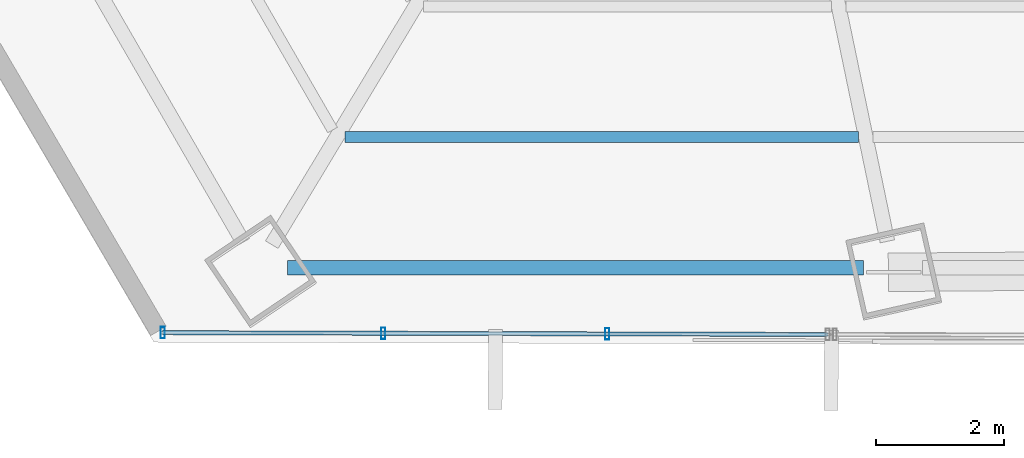
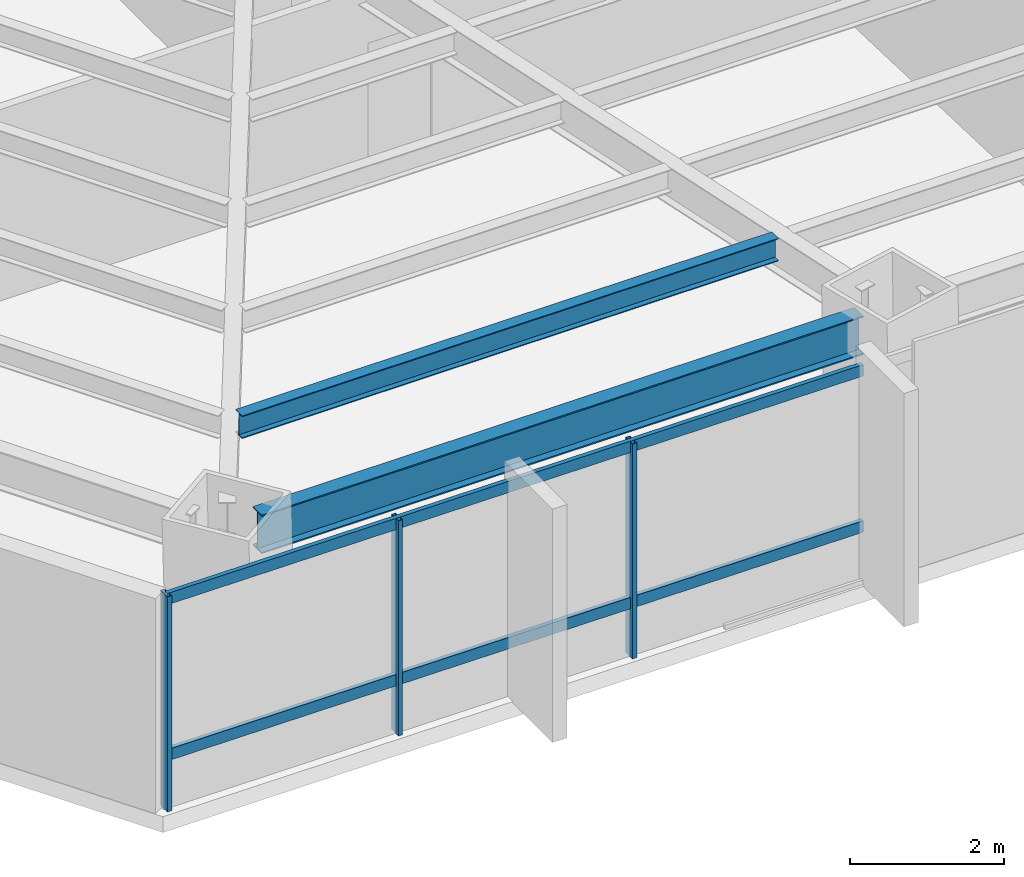
# One storey, part 3 of 33: 5 members, 2 beams, 1 element without a shape of its own.
"""IFC4 building model written with IfcOpenShell, lengths in metres."""

import ifcopenshell
import ifcopenshell.guid

model = None  # the IFC model being written
_history = None  # IfcOwnerHistory: only IFC2X3 demands one
_inside = {}  # id of a spatial element -> (the spatial element, [elements in it])
_under = {}  # id of a project, library or spatial element -> (it, [spatial elements below it])
_declared = {}  # id of a project -> (the project, [libraries it declares])
_typed = {}  # id of a type object -> (the type object, [elements of that type])
_made_of = {}  # id of a material, layer set ... -> (it, [elements and type objects made of it])


def new_model(schema):
    """Start an empty IFC model of exactly this schema.

    Asked for "IFC4X3", IfcOpenShell would pick the latest addendum, in which some entities
    have other attributes; the version numbers below select the first issue.
    IFC2X3 requires an IfcOwnerHistory on every rooted entity: one is made here for all.
    """
    global model, _history
    if schema == "IFC4X3":
        model = ifcopenshell.file(schema_version=(4, 3, 0, 0))
    else:
        model = ifcopenshell.file(schema=schema)
    _inside.clear()
    _under.clear()
    _declared.clear()
    _typed.clear()
    _made_of.clear()
    _history = None
    if model.schema == "IFC2X3":
        org = make("IfcOrganization", Name="unknown")
        user = make(
            "IfcPersonAndOrganization",
            ThePerson=make("IfcPerson", FamilyName="unknown"),
            TheOrganization=org,
        )
        app = make(
            "IfcApplication",
            ApplicationDeveloper=org,
            Version="unknown",
            ApplicationFullName="unknown",
            ApplicationIdentifier="unknown",
        )
        _history = make(
            "IfcOwnerHistory",
            OwningUser=user,
            OwningApplication=app,
            ChangeAction="ADDED",
            CreationDate=0,
        )
    return model


def make(cls, **values):
    """One entity of the class cls with the attributes given. An attribute that is None is left unset."""
    return model.create_entity(
        cls, **{name: value for name, value in values.items() if value is not None}
    )


def rooted(cls, **values):
    """An entity with a GlobalId (a new one), such as an element, a storey or a relation."""
    return make(cls, GlobalId=ifcopenshell.guid.new(), OwnerHistory=_history, **values)


def si_unit(unit_type, name, prefix=None):
    """IfcSIUnit, for example si_unit("LENGTHUNIT", "METRE", prefix="MILLI")."""
    return make("IfcSIUnit", UnitType=unit_type, Prefix=prefix, Name=name)


def assignment(units):
    """IfcUnitAssignment: the units of a project."""
    return None if units is None else make("IfcUnitAssignment", Units=units)


def point(xyz):
    """IfcCartesianPoint."""
    return None if xyz is None else make("IfcCartesianPoint", Coordinates=xyz)


def direction(xyz):
    """IfcDirection."""
    return None if xyz is None else make("IfcDirection", DirectionRatios=xyz)


def frame(location, z_axis=None, x_axis=None):
    """IfcAxis2Placement3D, a coordinate frame: its origin and axes. An axis left out is left unset."""
    return make(
        "IfcAxis2Placement3D",
        Location=point(location),
        Axis=direction(z_axis),
        RefDirection=direction(x_axis),
    )


def frame_2d(location, x_axis=None):
    """IfcAxis2Placement2D, a coordinate frame in the plane: its origin and x axis."""
    return make(
        "IfcAxis2Placement2D", Location=point(location), RefDirection=direction(x_axis)
    )


def origin():
    """The frame at (0, 0, 0) with its axes left unset."""
    return frame((0.0, 0.0, 0.0))


def origin_2d():
    """The frame at (0, 0) in the plane with its x axis left unset."""
    return frame_2d((0.0, 0.0))


def place(relative_to, where):
    """IfcLocalPlacement: puts the frame where relative to a parent placement (None: the world)."""
    return make(
        "IfcLocalPlacement", PlacementRelTo=relative_to, RelativePlacement=where
    )


def context(
    kind, dimensions, precision=None, world=None, true_north=None, identifier=None
):
    """IfcGeometricRepresentationContext, for example the 3D "Model" context."""
    return make(
        "IfcGeometricRepresentationContext",
        ContextIdentifier=identifier,
        ContextType=kind,
        CoordinateSpaceDimension=dimensions,
        Precision=precision,
        WorldCoordinateSystem=world,
        TrueNorth=true_north,
    )


def subcontext(parent, identifier, kind, view, scale=None):
    """IfcGeometricRepresentationSubContext, for example "Body" below "Model"."""
    return make(
        "IfcGeometricRepresentationSubContext",
        ContextIdentifier=identifier,
        ContextType=kind,
        ParentContext=parent,
        TargetScale=scale,
        TargetView=view,
    )


def project(units=None, contexts=None):
    """IfcProject with its units and contexts."""
    return rooted(
        "IfcProject",
        Name="project",
        RepresentationContexts=contexts,
        UnitsInContext=assignment(units),
    )


def spatial(cls, under=None, at=None, **own):
    """A site, building, storey or space (cls), placed at a placement, below another one or the project."""
    s = rooted(cls, ObjectPlacement=at, **own)
    if under is not None:
        _under.setdefault(under.id(), (under, []))[1].append(s)
    return s


def profile(cls, at=None, kind="AREA", **sizes):
    """A parametric profile (cls). Its sizes go by their IFC names, for example OverallWidth=200.0."""
    return make(cls, ProfileType=kind, Position=at, **sizes)


def hollow_rectangle(**sizes):
    """IfcRectangleHollowProfileDef."""
    return profile("IfcRectangleHollowProfileDef", **sizes)


def i_section(**sizes):
    """IfcIShapeProfileDef."""
    return profile("IfcIShapeProfileDef", **sizes)


def extrude(swept, where, along, depth):
    """IfcExtrudedAreaSolid: the profile swept, set in the frame where, extruded along a direction by depth."""
    return make(
        "IfcExtrudedAreaSolid",
        SweptArea=swept,
        Position=where,
        ExtrudedDirection=direction(along),
        Depth=depth,
    )


def shape(context_of_items, identifier, shape_type, items):
    """IfcShapeRepresentation: the items that make up one representation, for example the "Body"."""
    return make(
        "IfcShapeRepresentation",
        ContextOfItems=context_of_items,
        RepresentationIdentifier=identifier,
        RepresentationType=shape_type,
        Items=items,
    )


def source(mapping_origin, context_of_items, identifier, shape_type, items):
    """IfcRepresentationMap: a shape defined once, which mapped items show again and again."""
    return make(
        "IfcRepresentationMap",
        MappingOrigin=mapping_origin,
        MappedRepresentation=shape(context_of_items, identifier, shape_type, items),
    )


def transform(
    local_origin,
    x_axis=None,
    y_axis=None,
    z_axis=None,
    scale=None,
    scale2=None,
    scale3=None,
    uniform=True,
):
    """IfcCartesianTransformationOperator3D, or its non-uniform kind. x_axis, y_axis, z_axis: its Axis1, 2, 3."""
    if uniform:
        return make(
            "IfcCartesianTransformationOperator3D",
            Axis1=direction(x_axis),
            Axis2=direction(y_axis),
            LocalOrigin=point(local_origin),
            Scale=scale,
            Axis3=direction(z_axis),
        )
    return make(
        "IfcCartesianTransformationOperator3DnonUniform",
        Axis1=direction(x_axis),
        Axis2=direction(y_axis),
        LocalOrigin=point(local_origin),
        Scale=scale,
        Axis3=direction(z_axis),
        Scale2=scale2,
        Scale3=scale3,
    )


def mapped(mapping_source, mapping_target):
    """IfcMappedItem: shows the shape of a source again, moved by a transform."""
    return make(
        "IfcMappedItem", MappingSource=mapping_source, MappingTarget=mapping_target
    )


def material(Name=None, Category=None):
    """IfcMaterial."""
    return make("IfcMaterial", Name=Name, Category=Category)


def material_profile(
    of_material, cross_section, Name=None, Category=None, Priority=None
):
    """IfcMaterialProfile: a cross section and its material."""
    return make(
        "IfcMaterialProfile",
        Name=Name,
        Material=of_material,
        Profile=cross_section,
        Priority=Priority,
        Category=Category,
    )


def profile_set(profiles, Name=None, composite=None):
    """IfcMaterialProfileSet."""
    return make(
        "IfcMaterialProfileSet",
        Name=Name,
        MaterialProfiles=profiles,
        CompositeProfile=composite,
    )


def made_of(thing, what):
    """Note that an element or type object is made of a material, layer set ...; save() writes the relation."""
    if what is not None:
        _made_of.setdefault(what.id(), (what, []))[1].append(thing)
    return thing


def type_object(cls, material=None, **own):
    """A type object (cls), such as IfcWallType, which elements share."""
    return made_of(rooted(cls, **own), material)


def type_shapes(of_type, sources):
    """Give a type object the sources (RepresentationMaps) that its elements show as mapped items."""
    of_type.RepresentationMaps = sources


def element(
    cls,
    number,
    at=None,
    inside=None,
    cuts=None,
    type_object=None,
    material=None,
    context=None,
    identifier="Body",
    shape_type=None,
    held_by="IfcProductDefinitionShape",
    body=None,
    shapes=None,
    **own,
):
    """One element of the class cls, such as IfcWall. Its Tag is "e" and its number.

    at: its placement. inside: the storey or other place that contains it. cuts: it is an
    opening in that element (IfcRelVoidsElement). A single representation is given by context,
    identifier, shape_type and body (its items); several are given by shapes. held_by: the class
    of the entity that holds the representations. save() writes the other relations.
    """
    e = rooted(cls, Tag="e%d" % number, ObjectPlacement=at, **own)
    if body is not None:
        shapes = [shape(context, identifier, shape_type, body)]
    if shapes is not None:
        e.Representation = make(held_by, Representations=shapes)
    if inside is not None:
        _inside.setdefault(inside.id(), (inside, []))[1].append(e)
    if cuts is not None:
        rooted(
            "IfcRelVoidsElement", RelatingBuildingElement=cuts, RelatedOpeningElement=e
        )
    if type_object is not None:
        _typed.setdefault(type_object.id(), (type_object, []))[1].append(e)
    return made_of(e, material)


def aggregate(whole, parts):
    """IfcRelAggregates: a whole, such as a stair, and the parts it consists of."""
    return rooted("IfcRelAggregates", RelatingObject=whole, RelatedObjects=parts)


def save(model, path):
    """Write the relations noted so far, then the file.

    IfcRelAggregates (storeys below a building ...), IfcRelContainedInSpatialStructure (elements
    in a storey), IfcRelDefinesByType, IfcRelAssociatesMaterial and IfcRelDeclares: one each for
    every whole, place, type object, material and project.
    """
    for whole, parts in _under.values():
        aggregate(whole, parts)
    for where, things in _inside.values():
        rooted(
            "IfcRelContainedInSpatialStructure",
            RelatedElements=things,
            RelatingStructure=where,
        )
    for kind, things in _typed.values():
        rooted("IfcRelDefinesByType", RelatedObjects=things, RelatingType=kind)
    for what, things in _made_of.values():
        rooted("IfcRelAssociatesMaterial", RelatedObjects=things, RelatingMaterial=what)
    for by, libraries in _declared.values():
        rooted("IfcRelDeclares", RelatingContext=by, RelatedDefinitions=libraries)
    model.write(path)


model = new_model("IFC4")

# Units and contexts
model_context = context("Model", 3, precision=1e-05, world=origin(), true_north=direction((0.0, 1.0)))
body_context = subcontext(model_context, "Body", "Model", "MODEL_VIEW")
ifc_project = project(units=[si_unit("LENGTHUNIT", "METRE"), si_unit("AREAUNIT", "SQUARE_METRE"), si_unit("VOLUMEUNIT", "CUBIC_METRE"), si_unit("PLANEANGLEUNIT", "RADIAN"), si_unit("MASSUNIT", "GRAM", prefix="KILO")], contexts=[model_context])

# Site, building, storey
site_placement = place(None, origin())
site = spatial("IfcSite", under=ifc_project, at=site_placement, CompositionType="ELEMENT")
building_placement = place(site_placement, origin())
building = spatial("IfcBuilding", under=site, at=building_placement, Name="Caelisora Broadcast Tower", CompositionType="ELEMENT")
storey_placement = place(building_placement, frame((0.0, 0.0, 42.199951171875)))
storey = spatial("IfcBuildingStorey", under=building, at=storey_placement, Name="L10", CompositionType="ELEMENT", Elevation=42.199951171875)

# Beams
ifc_material_1 = material(Name="Steel Grade 350 (AS/NZS 3679.1)", Category="steel")
ifc_material_profile_1 = material_profile(ifc_material_1, i_section(OverallWidth=0.22900390625, OverallDepth=0.611572265625, WebThickness=0.011962890625, FlangeThickness=0.01953125, at=origin_2d()), Name="Steel Grade 350 (AS/NZS 3679.1)")
ifc_profile_set_1 = profile_set([ifc_material_profile_1], Name="Steel Grade 350 (AS/NZS 3679.1)")
beam_type_1 = type_object("IfcBeamType", Name="PG03", PredefinedType="BEAM", material=ifc_profile_set_1)
shared_shape_1 = source(origin(), body_context, "Body", "SweptSolid", [
    extrude(i_section(OverallWidth=0.22900390625, OverallDepth=0.611572265625, WebThickness=0.011962890625, FlangeThickness=0.01953125, at=origin_2d()), origin(), (0.0, 0.0, 1.0), 8.998779296875),
])
type_shapes(beam_type_1, [shared_shape_1])
beam_1_placement = place(storey_placement, frame((23.581787109375, 5.16162109375, 3.09423828125), z_axis=(1.0, 0.0, 0.0), x_axis=(0.0, 1.0, 0.0)))
element("IfcBeam", 1, at=beam_1_placement, inside=storey, type_object=beam_type_1, Name="L10 beam PG03", PredefinedType="BEAM", context=body_context, shape_type="MappedRepresentation", body=[
    mapped(shared_shape_1, transform((0.0, 0.0, 0.0), scale=1.0)),
])
ifc_material_profile_2 = material_profile(ifc_material_1, i_section(OverallWidth=0.172119140625, OverallDepth=0.358642578125, WebThickness=0.008056640625, FlangeThickness=0.012939453125, at=origin_2d()), Name="Steel Grade 350 (AS/NZS 3679.1)")
ifc_profile_set_2 = profile_set([ifc_material_profile_2], Name="Steel Grade 350 (AS/NZS 3679.1)")
beam_type_2 = type_object("IfcBeamType", Name="SB02", PredefinedType="JOIST", material=ifc_profile_set_2)
shared_shape_2 = source(origin(), body_context, "Body", "SweptSolid", [
    extrude(i_section(OverallWidth=0.172119140625, OverallDepth=0.358642578125, WebThickness=0.008056640625, FlangeThickness=0.012939453125, at=origin_2d()), origin(), (0.0, 0.0, 1.0), 8.022216796875),
])
type_shapes(beam_type_2, [shared_shape_2])
beam_2_placement = place(storey_placement, frame((24.481689453125, 7.201171875, 3.220703125), z_axis=(1.0, 0.0, 0.0), x_axis=(0.0, 1.0, 0.0)))
element("IfcBeam", 2, at=beam_2_placement, inside=storey, type_object=beam_type_2, Name="L10 beam SB02", PredefinedType="JOIST", context=body_context, shape_type="MappedRepresentation", body=[
    mapped(shared_shape_2, transform((0.0, 0.0, 0.0), scale=1.0)),
])

# Curtain wall, members
ifc_material_2 = material(Name="Unitised Aluminium and Low-E Glass Curtain Wall", Category="glass")
curtain_wall_type = type_object("IfcCurtainWallType", Name="CW-Z1", PredefinedType="NOTDEFINED", material=ifc_material_2)
curtain_wall_placement = place(storey_placement, origin())
curtain_wall = element("IfcCurtainWall", 3, at=curtain_wall_placement, inside=storey, type_object=curtain_wall_type, Name="L10 curtain wall CW-Z1", PredefinedType="NOTDEFINED")
ifc_material_3 = material(Name="Aluminium 6063-T6 Anodised Terracotta Bronze", Category="aluminium")
ifc_material_profile_3 = material_profile(ifc_material_3, hollow_rectangle(XDim=0.06494140625, YDim=0.179931640625, WallThickness=0.00341796875, at=origin_2d()), Name="Aluminium 6063-T6 Anodised Terracotta Bronze")
ifc_profile_set_3 = profile_set([ifc_material_profile_3], Name="Aluminium 6063-T6 Anodised Terracotta Bronze")
member_type_1 = type_object("IfcMemberType", Name="CWM-02", PredefinedType="MULLION", material=ifc_profile_set_3)
shared_shape_3 = source(origin(), body_context, "Body", "SweptSolid", [
    extrude(hollow_rectangle(XDim=0.06494140625, YDim=0.179931640625, WallThickness=0.00341796875, at=origin_2d()), origin(), (0.0, 0.0, 1.0), 3.400146484375),
])
type_shapes(member_type_1, [shared_shape_3])
member_1_placement = place(storey_placement, frame((28.5771484375, 4.126708984375, 0.0), z_axis=(0.0, 0.0, 1.0), x_axis=(1.0, 0.0, 0.0)))
member_1 = element("IfcMember", 4, at=member_1_placement, type_object=member_type_1, Name="L10-CW-B07 mullion #1", PredefinedType="MULLION", context=body_context, shape_type="MappedRepresentation", body=[
    mapped(shared_shape_3, transform((0.0, 0.0, 0.0), scale=1.0)),
])
member_2_placement = place(storey_placement, frame((25.080078125, 4.13623046875, 0.0), z_axis=(0.0, 0.0, 1.0), x_axis=(1.0, 0.0, 0.0)))
member_2 = element("IfcMember", 5, at=member_2_placement, type_object=member_type_1, Name="L10-CW-B07 mullion #2", PredefinedType="MULLION", context=body_context, shape_type="MappedRepresentation", body=[
    mapped(shared_shape_3, transform((0.0, 0.0, 0.0), scale=1.0)),
])
member_3_placement = place(storey_placement, frame((21.633056640625, 4.14599609375, 0.0), z_axis=(0.0, 0.0, 1.0), x_axis=(1.0, 0.0, 0.0)))
member_3 = element("IfcMember", 6, at=member_3_placement, type_object=member_type_1, Name="L10-CW-B07 mullion #3", PredefinedType="MULLION", context=body_context, shape_type="MappedRepresentation", body=[
    mapped(shared_shape_3, transform((0.0, 0.0, 0.0), scale=1.0)),
])
ifc_material_profile_4 = material_profile(ifc_material_3, hollow_rectangle(XDim=0.06494140625, YDim=0.179931640625, WallThickness=0.00341796875, at=origin_2d()), Name="Aluminium 6063-T6 Anodised Terracotta Bronze")
ifc_profile_set_4 = profile_set([ifc_material_profile_4], Name="Aluminium 6063-T6 Anodised Terracotta Bronze")
member_type_2 = type_object("IfcMemberType", Name="CWT-01", PredefinedType="USERDEFINED", material=ifc_profile_set_4)
shared_shape_4 = source(origin(), body_context, "Body", "SweptSolid", [
    extrude(hollow_rectangle(XDim=0.06494140625, YDim=0.179931640625, WallThickness=0.00341796875, at=origin_2d()), origin(), (0.0, 0.0, 1.0), 10.391357421875),
])
type_shapes(member_type_2, [shared_shape_4])
member_4_placement = place(storey_placement, frame((32.0244140625, 4.116943359375, 0.85009765625), z_axis=(-0.999996091619, 0.002795844628, 0.0), x_axis=(-0.002795844628, -0.999996091619, 0.0)))
member_4 = element("IfcMember", 7, at=member_4_placement, type_object=member_type_2, Name="L10-CW-B07 transom #1", ObjectType="TRANSOM", PredefinedType="USERDEFINED", context=body_context, shape_type="MappedRepresentation", body=[
    mapped(shared_shape_4, transform((0.0, 0.0, 0.0), scale=1.0)),
])
member_5_placement = place(storey_placement, frame((32.0244140625, 4.116943359375, 3.320068359375), z_axis=(-0.999996091619, 0.002795844628, 0.0), x_axis=(-0.002795844628, -0.999996091619, 0.0)))
member_5 = element("IfcMember", 8, at=member_5_placement, type_object=member_type_2, Name="L10-CW-B07 transom #2", ObjectType="TRANSOM", PredefinedType="USERDEFINED", context=body_context, shape_type="MappedRepresentation", body=[
    mapped(shared_shape_4, transform((0.0, 0.0, 0.0), scale=1.0)),
])
aggregate(curtain_wall, [member_1, member_2, member_3, member_4, member_5])

save(model, "model.ifc")
